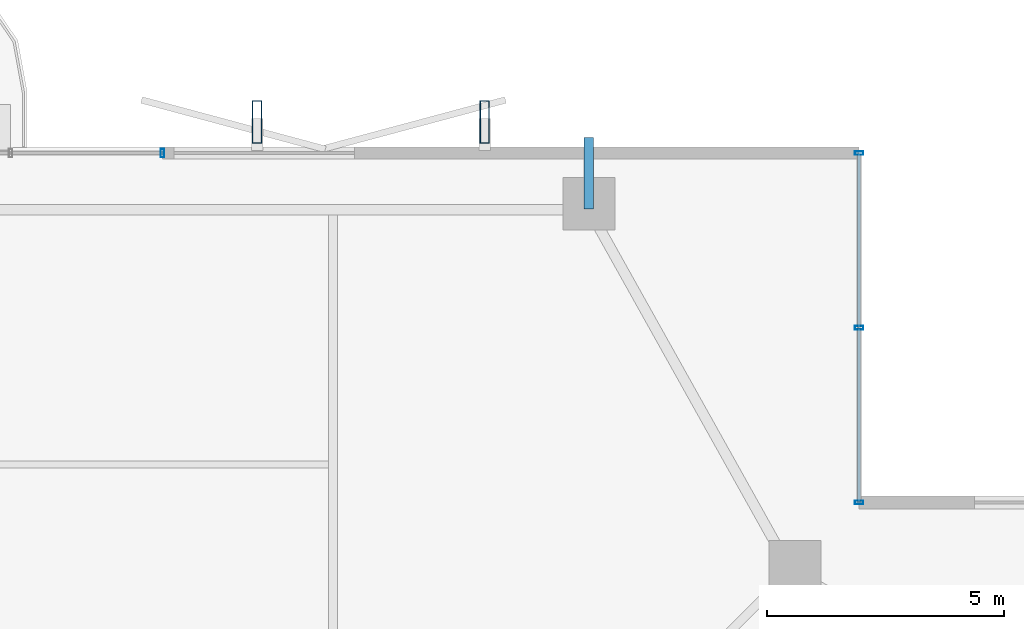
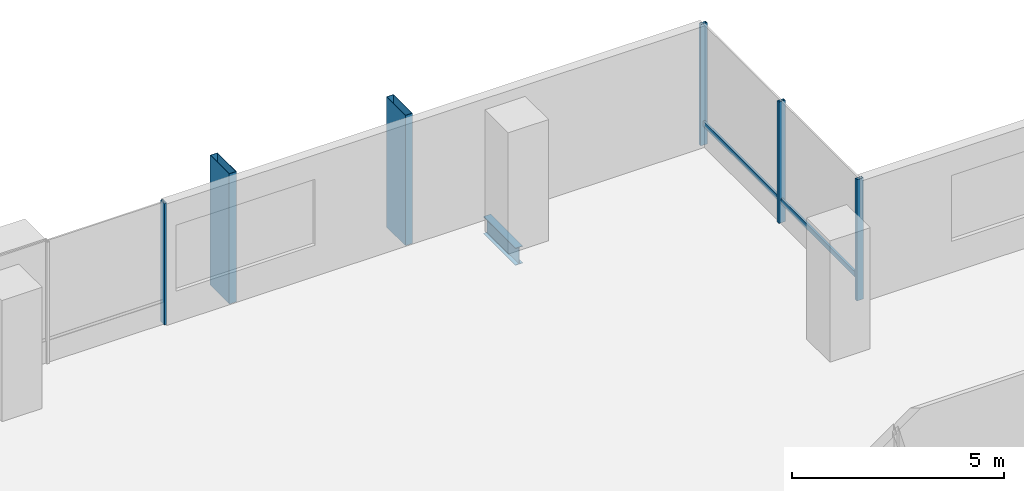
# One storey, part 20 of 29: 8 members, 1 beam, 2 elements without a shape of their own.
"""IFC4 building model written with IfcOpenShell, lengths in metres."""

from ifc_helpers import new_model, si_unit, direction, frame, origin, origin_2d, place, context, subcontext, project, spatial, hollow_rectangle, i_section, extrude, material, layer, layer_set, material_profile, profile_set, type_object, element, aggregate, save


model = new_model("IFC4")

# Units and contexts
model_context = context("Model", 3, precision=1e-05, world=origin(), true_north=direction((0.0, 1.0)))
body_context = subcontext(model_context, "Body", "Model", "MODEL_VIEW")
ifc_project = project(units=[si_unit("LENGTHUNIT", "METRE"), si_unit("AREAUNIT", "SQUARE_METRE"), si_unit("VOLUMEUNIT", "CUBIC_METRE"), si_unit("PLANEANGLEUNIT", "RADIAN"), si_unit("MASSUNIT", "GRAM", prefix="KILO")], contexts=[model_context])

# Site, building, storey
site_placement = place(None, origin())
site = spatial("IfcSite", under=ifc_project, at=site_placement, CompositionType="ELEMENT")
building_placement = place(site_placement, origin())
building = spatial("IfcBuilding", under=site, at=building_placement, Name="Belovzor Exchange Tower", CompositionType="ELEMENT")
storey_placement = place(building_placement, frame((0.0, 0.0, 199.949951171875)))
storey = spatial("IfcBuildingStorey", under=building, at=storey_placement, Name="L49", CompositionType="ELEMENT", Elevation=199.949951171875)

# Beam
ifc_material_1 = material(Name="Steel S355", Category="steel")
ifc_material_profile_1 = material_profile(ifc_material_1, i_section(OverallWidth=0.199951171875, OverallDepth=0.5, WebThickness=0.01025390625, FlangeThickness=0.01611328125, at=origin_2d()))
ifc_profile_set_1 = profile_set([ifc_material_profile_1], Name="Steel S355")
beam_type = type_object("IfcBeamType", Name="Planted Balcony Cantilever Beam IPE 500", PredefinedType="BEAM", material=ifc_profile_set_1)
beam_placement = place(storey_placement, frame((42.60009765625, 54.489013671875, -0.5), z_axis=(0.0, 1.0, 0.0), x_axis=(-1.0, 0.0, 0.0)))
element("IfcBeam", 1, at=beam_placement, inside=storey, type_object=beam_type, Name="BC-500 Planted Balcony Cantilever Beam IPE 500", PredefinedType="BEAM", context=body_context, shape_type="SweptSolid", body=[
    extrude(i_section(OverallWidth=0.199951171875, OverallDepth=0.5, WebThickness=0.01025390625, FlangeThickness=0.01611328125, at=origin_2d()), origin(), (0.0, 0.0, 1.0), 1.510986328125),
])

# Members
ifc_material_2 = material(Name="Extruded Architectural Terracotta on Steel S355 Carrier", Category="masonry")
ifc_material_profile_2 = material_profile(ifc_material_2, hollow_rectangle(XDim=0.199951171875, YDim=0.89990234375, WallThickness=0.011962890625, at=origin_2d()))
ifc_profile_set_2 = profile_set([ifc_material_profile_2], Name="Extruded Architectural Terracotta on Steel S355 Carrier")
member_type_1 = type_object("IfcMemberType", Name="Sweeping Terracotta Baguette Fin Assembly 950", PredefinedType="USERDEFINED", material=ifc_profile_set_2)
for number, where, z_axis, x_axis, name in (
    (2, (35.60009765625, 56.324951171875, -0.25), (0.0, 0.0, 1.0), (1.0, 0.0, 0.0), "FIN-TC095 Terracotta Facade Fin L49 N3"),
    (3, (40.39990234375, 56.324951171875, -0.25), (0.0, 0.0, 1.0), (1.0, 0.0, 0.0), "FIN-TC095 Terracotta Facade Fin L49 N4"),
):
    element("IfcMember", number, at=place(storey_placement, frame(where, z_axis=z_axis, x_axis=x_axis)), inside=storey, type_object=member_type_1, Name=name, ObjectType="FIN", PredefinedType="USERDEFINED", context=body_context, shape_type="SweptSolid", body=[
        extrude(hollow_rectangle(XDim=0.199951171875, YDim=0.89990234375, WallThickness=0.011962890625, at=origin_2d()), origin(), (0.0, 0.0, 1.0), 3.75),
    ])

# Curtain wall, member
ifc_material_3 = material(Name="Anodised Aluminium Framing", Category="aluminium")
ifc_layer_1 = layer(ifc_material_3, 0.179931640625)
ifc_layer_set_1 = layer_set([ifc_layer_1], Name="Anodised Aluminium Framing")
curtain_wall_type_1 = type_object("IfcCurtainWallType", Name="Recessed Loggia Low-Iron Triple-Glazed Curtain Wall", PredefinedType="NOTDEFINED", material=ifc_layer_set_1)
curtain_wall_1_placement = place(storey_placement, origin())
curtain_wall_1 = element("IfcCurtainWall", 4, at=curtain_wall_1_placement, inside=storey, type_object=curtain_wall_type_1, Name="CW3 Recessed Loggia Low-Iron Triple-Glazed Curtain Wall L49", PredefinedType="NOTDEFINED")
ifc_material_4 = material(Name="Steel S355", Category="steel")
ifc_material_profile_3 = material_profile(ifc_material_4, hollow_rectangle(XDim=0.074951171875, YDim=0.179931640625, WallThickness=0.0048828125, at=origin_2d()))
ifc_profile_set_3 = profile_set([ifc_material_profile_3], Name="Steel S355")
member_type_2 = type_object("IfcMemberType", Name="Thermally Broken Curtain Wall Mullion 180x75", PredefinedType="MULLION", material=ifc_profile_set_3)
member_1_placement = place(storey_placement, frame((33.60009765625, 55.669921875, 0.0), z_axis=(0.0, 0.0, 1.0), x_axis=(1.0, 0.0, 0.0)))
member_1 = element("IfcMember", 5, at=member_1_placement, type_object=member_type_2, Name="CW-M180 Curtain Wall Mullion 4", PredefinedType="MULLION", context=body_context, shape_type="SweptSolid", body=[
    extrude(hollow_rectangle(XDim=0.074951171875, YDim=0.179931640625, WallThickness=0.0048828125, at=origin_2d()), origin(), (0.0, 0.0, 1.0), 3.5),
])
aggregate(curtain_wall_1, [member_1])

# Curtain wall, members
ifc_material_5 = material(Name="Anodised Aluminium Framing", Category="aluminium")
ifc_layer_2 = layer(ifc_material_5, 0.195068359375)
ifc_layer_set_2 = layer_set([ifc_layer_2], Name="Anodised Aluminium Framing")
curtain_wall_type_2 = type_object("IfcCurtainWallType", Name="Notched Re-Entrant Corner Unitised Curtain Wall", PredefinedType="NOTDEFINED", material=ifc_layer_set_2)
curtain_wall_2_placement = place(storey_placement, origin())
curtain_wall_2 = element("IfcCurtainWall", 6, at=curtain_wall_2_placement, inside=storey, type_object=curtain_wall_type_2, Name="CW5 Notched Re-Entrant Corner Unitised Curtain Wall L49", PredefinedType="NOTDEFINED")
member_2_placement = place(storey_placement, frame((48.300048828125, 55.669921875, 0.0), z_axis=(0.0, 0.0, 1.0), x_axis=(0.0, -1.0, 0.0)))
member_2 = element("IfcMember", 7, at=member_2_placement, type_object=member_type_2, Name="CW-M180 Curtain Wall Mullion 1", PredefinedType="MULLION", context=body_context, shape_type="SweptSolid", body=[
    extrude(hollow_rectangle(XDim=0.074951171875, YDim=0.179931640625, WallThickness=0.0048828125, at=origin_2d()), origin(), (0.0, 0.0, 1.0), 3.5),
])
member_3_placement = place(storey_placement, frame((48.300048828125, 51.985107421875, 0.0), z_axis=(0.0, 0.0, 1.0), x_axis=(0.0, -1.0, 0.0)))
member_3 = element("IfcMember", 8, at=member_3_placement, type_object=member_type_2, Name="CW-M180 Curtain Wall Mullion 2", PredefinedType="MULLION", context=body_context, shape_type="SweptSolid", body=[
    extrude(hollow_rectangle(XDim=0.074951171875, YDim=0.179931640625, WallThickness=0.0048828125, at=origin_2d()), origin(), (0.0, 0.0, 1.0), 3.5),
])
member_4_placement = place(storey_placement, frame((48.300048828125, 48.300048828125, 0.0), z_axis=(0.0, 0.0, 1.0), x_axis=(0.0, -1.0, 0.0)))
member_4 = element("IfcMember", 9, at=member_4_placement, type_object=member_type_2, Name="CW-M180 Curtain Wall Mullion 3", PredefinedType="MULLION", context=body_context, shape_type="SweptSolid", body=[
    extrude(hollow_rectangle(XDim=0.074951171875, YDim=0.179931640625, WallThickness=0.0048828125, at=origin_2d()), origin(), (0.0, 0.0, 1.0), 3.5),
])
ifc_material_6 = material(Name="Steel S355", Category="steel")
ifc_material_profile_4 = material_profile(ifc_material_6, hollow_rectangle(XDim=0.06005859375, YDim=0.14990234375, WallThickness=0.00390625, at=origin_2d()))
ifc_profile_set_4 = profile_set([ifc_material_profile_4], Name="Steel S355")
member_type_3 = type_object("IfcMemberType", Name="Thermally Broken Curtain Wall Transom 150x60", PredefinedType="USERDEFINED", material=ifc_profile_set_4)
member_5_placement = place(storey_placement, frame((48.300048828125, 55.662109375, 0.630126953125), z_axis=(0.0, -1.0, 0.0), x_axis=(1.0, 0.0, 0.0)))
member_5 = element("IfcMember", 10, at=member_5_placement, type_object=member_type_3, Name="CW-T150 Curtain Wall Transom 1", ObjectType="TRANSOM", PredefinedType="USERDEFINED", context=body_context, shape_type="SweptSolid", body=[
    extrude(hollow_rectangle(XDim=0.06005859375, YDim=0.14990234375, WallThickness=0.00390625, at=origin_2d()), origin(), (0.0, 0.0, 1.0), 3.669189453125),
])
member_6_placement = place(storey_placement, frame((48.300048828125, 51.97705078125, 0.630126953125), z_axis=(0.0, -1.0, 0.0), x_axis=(1.0, 0.0, 0.0)))
member_6 = element("IfcMember", 11, at=member_6_placement, type_object=member_type_3, Name="CW-T150 Curtain Wall Transom 2", ObjectType="TRANSOM", PredefinedType="USERDEFINED", context=body_context, shape_type="SweptSolid", body=[
    extrude(hollow_rectangle(XDim=0.06005859375, YDim=0.14990234375, WallThickness=0.00390625, at=origin_2d()), origin(), (0.0, 0.0, 1.0), 3.6689453125),
])
aggregate(curtain_wall_2, [member_2, member_3, member_4, member_5, member_6])

save(model, "model.ifc")
